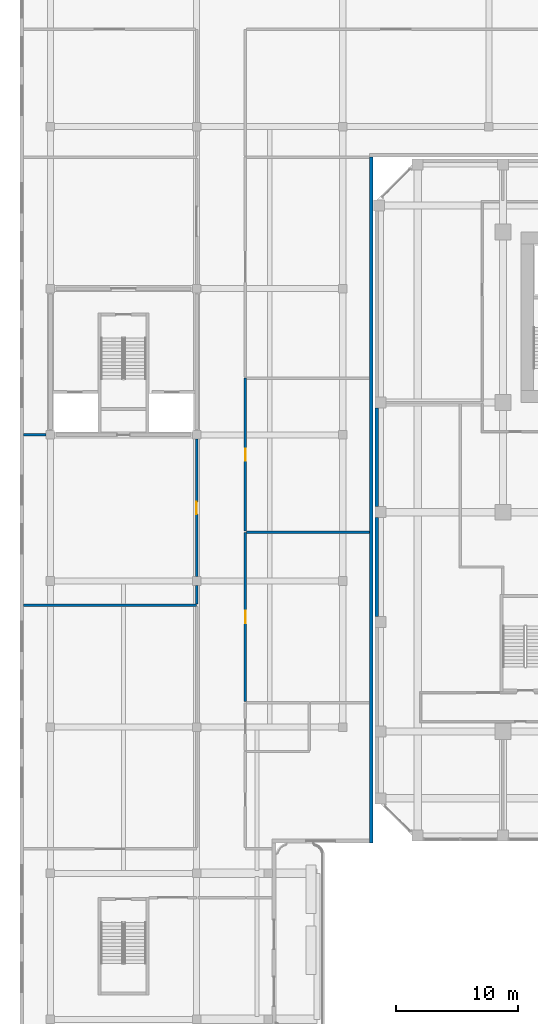
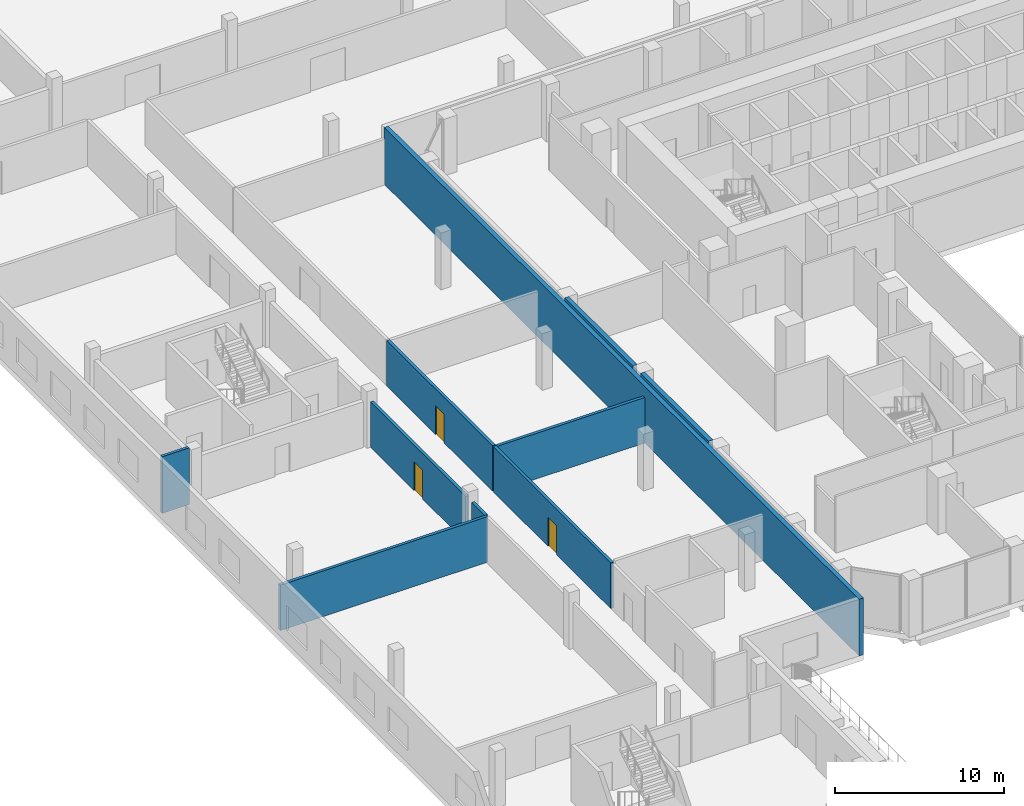
# One storey, part 15 of 36: 10 walls, 3 doors, 3 openings.
"""IFC4 building model written with IfcOpenShell, lengths in metres."""

from ifc_helpers import new_model, si_unit, direction, frame, frame_2d, origin, place, context, subcontext, project, spatial, rectangle, extrude, source, transform, mapped, material, layer, layer_set, type_object, element, fill, save


model = new_model("IFC4")

# Units and contexts
model_context = context("Model", 3, precision=1e-05, world=origin(), true_north=direction((0.0, 1.0)))
body_context = subcontext(model_context, "Body", "Model", "MODEL_VIEW")
ifc_project = project(units=[si_unit("LENGTHUNIT", "METRE"), si_unit("AREAUNIT", "SQUARE_METRE"), si_unit("VOLUMEUNIT", "CUBIC_METRE"), si_unit("PLANEANGLEUNIT", "RADIAN"), si_unit("MASSUNIT", "GRAM", prefix="KILO")], contexts=[model_context])

# Site, building, storey
site_placement = place(None, origin())
site = spatial("IfcSite", under=ifc_project, at=site_placement, CompositionType="ELEMENT")
building_placement = place(site_placement, origin())
building = spatial("IfcBuilding", under=site, at=building_placement, Name="Kilnfold Tower and Market Hall", CompositionType="ELEMENT")
storey_placement = place(building_placement, frame((0.0, 0.0, 18.0)))
storey = spatial("IfcBuildingStorey", under=building, at=storey_placement, Name="L03", CompositionType="ELEMENT", Elevation=18.0)

# Walls
ifc_material_1 = material(Name="Precast concrete C50/60", Category="concrete")
ifc_layer_1 = layer(ifc_material_1, 0.300048828125)
ifc_layer_set_1 = layer_set([ifc_layer_1], Name="Precast concrete C50/60")
wall_type_1 = type_object("IfcWallType", Name="PRECAST WALL 300", PredefinedType="SOLIDWALL", material=ifc_layer_set_1)
shared_shape_1 = source(origin(), body_context, "Body", "SweptSolid", [
    extrude(rectangle(XDim=8.10009765625, YDim=0.300048828125, at=frame_2d((4.050048828125, 0.0))), origin(), (0.0, 0.0, 1.0), 4.10009765625),
])
for number, where, z_axis, x_axis, name in (
    (1, (-27.85009765625, 7.550048828125, 0.0), (0.0, 0.0, 1.0), (0.0, -1.0, 0.0), "Party wall L03 W"),
    (2, (-27.85009765625, -1.449951171875, 0.0), (0.0, 0.0, 1.0), (0.0, -1.0, 0.0), "Party wall L03 W"),
):
    element("IfcWall", number, at=place(storey_placement, frame(where, z_axis=z_axis, x_axis=x_axis)), inside=storey, type_object=wall_type_1, Name=name, PredefinedType="SOLIDWALL", context=body_context, shape_type="MappedRepresentation", body=[
        mapped(shared_shape_1, transform((0.0, 0.0, 0.0))),
    ])
ifc_material_2 = material(Name="Concrete blockwork", Category="masonry")
ifc_layer_2 = layer(ifc_material_2, 0.300048828125)
ifc_layer_set_2 = layer_set([ifc_layer_2], Name="Concrete blockwork")
wall_type_2 = type_object("IfcWallType", Name="HALL EXTERNAL WALL 300 EI 120", PredefinedType="SOLIDWALL", material=ifc_layer_set_2)
shared_shape_2 = source(origin(), body_context, "Body", "SweptSolid", [
    extrude(rectangle(XDim=56.2998046875, YDim=0.300048828125, at=frame_2d((28.14990234375, 0.0))), origin(), (0.0, 0.0, 1.0), 4.10009765625),
])
wall_1_placement = place(storey_placement, frame((-28.300048828125, 28.14990234375, 0.0), z_axis=(0.0, 0.0, 1.0), x_axis=(0.0, -1.0, 0.0)))
element("IfcWall", 3, at=wall_1_placement, inside=storey, type_object=wall_type_2, Name="Joint wall MEW-L03.7", PredefinedType="SOLIDWALL", context=body_context, shape_type="MappedRepresentation", body=[
    mapped(shared_shape_2, transform((0.0, 0.0, 0.0))),
])
ifc_material_3 = material(Name="Concrete blockwork", Category="masonry")
ifc_layer_3 = layer(ifc_material_3, 0.199951171875)
ifc_layer_set_3 = layer_set([ifc_layer_3], Name="Concrete blockwork")
wall_type_3 = type_object("IfcWallType", Name="HALL PARTITION 200 EI 60", PredefinedType="PARTITIONING", material=ifc_layer_set_3)
shared_shape_3 = source(origin(), body_context, "Body", "SweptSolid", [
    extrude(rectangle(XDim=14.2001953125, YDim=0.199951171875, at=frame_2d((7.10009765625, 0.0))), origin(), (0.0, 0.0, 1.0), 3.300048828125),
])
wall_2_placement = place(storey_placement, frame((-56.85009765625, -8.64990234375, 0.0), z_axis=(0.0, 0.0, 1.0), x_axis=(1.0, 0.0, 0.0)))
element("IfcWall", 4, at=wall_2_placement, inside=storey, type_object=wall_type_3, Name="Partition W-MH-L03.2", PredefinedType="PARTITIONING", context=body_context, shape_type="MappedRepresentation", body=[
    mapped(shared_shape_3, transform((0.0, 0.0, 0.0))),
])

# Wall, opening, door
shared_shape_4 = source(origin(), body_context, "Body", "SweptSolid", [
    extrude(rectangle(XDim=13.900146484375, YDim=0.199951171875, at=frame_2d((6.9501953125, 0.0))), origin(), (0.0, 0.0, 1.0), 3.300048828125),
])
wall_3_placement = place(storey_placement, frame((-38.64990234375, -2.64990234375, 0.0), z_axis=(0.0, 0.0, 1.0), x_axis=(0.0, -1.0, 0.0)))
wall_3 = element("IfcWall", 5, at=wall_3_placement, inside=storey, type_object=wall_type_3, Name="Partition W-MH-L03.22", PredefinedType="PARTITIONING", context=body_context, shape_type="MappedRepresentation", body=[
    mapped(shared_shape_4, transform((0.0, 0.0, 0.0))),
])
opening_1_placement = place(wall_3_placement, frame((6.449951171875, 0.0, 0.0)))
opening_1 = element("IfcOpeningElement", 6, at=opening_1_placement, cuts=wall_3, Name="Opening MD5-60", PredefinedType="OPENING", context=body_context, shape_type="SweptSolid", body=[
    extrude(rectangle(XDim=1.0, YDim=2.10009765625, at=frame_2d((0.5, 1.050048828125))), frame((0.0, 0.10986328125, 0.0), z_axis=(0.0, -1.0, 0.0), x_axis=(1.0, 0.0, 0.0)), (0.0, 0.0, 1.0), 0.219970703125),
])
ifc_material_4 = material(Name="Timber", Category="wood")
door_type = type_object("IfcDoorType", Name="HALL DOOR OFFICE 1000X2100 FD60", OperationType="NOTDEFINED", PredefinedType="DOOR", material=ifc_material_4)
door_1_placement = place(opening_1_placement, origin())
door_1 = element("IfcDoor", 7, at=door_1_placement, inside=storey, type_object=door_type, Name="Door MD5-60", OperationType="SINGLE_SWING_RIGHT", OverallHeight=2.10009765625, OverallWidth=1.0, PredefinedType="DOOR", context=body_context, shape_type="SweptSolid", body=[
    extrude(rectangle(XDim=1.0, YDim=2.10009765625, at=frame_2d((0.5, 1.050048828125))), frame((0.0, 0.02490234375, 0.0), z_axis=(0.0, -1.0, 0.0), x_axis=(1.0, 0.0, 0.0)), (0.0, 0.0, 1.0), 0.050048828125),
])
fill(opening_1, door_1)

# Wall
shared_shape_5 = source(origin(), body_context, "Body", "SweptSolid", [
    extrude(rectangle(XDim=10.10009765625, YDim=0.199951171875, at=frame_2d((5.050048828125, 0.0))), origin(), (0.0, 0.0, 1.0), 3.300048828125),
])
wall_4_placement = place(storey_placement, frame((-38.550048828125, -2.64990234375, 0.0), z_axis=(0.0, 0.0, 1.0), x_axis=(1.0, 0.0, 0.0)))
element("IfcWall", 8, at=wall_4_placement, inside=storey, type_object=wall_type_3, Name="Partition W-MH-L03.23", PredefinedType="PARTITIONING", context=body_context, shape_type="MappedRepresentation", body=[
    mapped(shared_shape_5, transform((0.0, 0.0, 0.0))),
])

# Wall, opening, door
shared_shape_6 = source(origin(), body_context, "Body", "SweptSolid", [
    extrude(rectangle(XDim=12.550048828125, YDim=0.199951171875, at=frame_2d((6.27490234375, 0.0))), origin(), (0.0, 0.0, 1.0), 3.300048828125),
])
wall_5_placement = place(storey_placement, frame((-38.64990234375, 10.0, 0.0), z_axis=(0.0, 0.0, 1.0), x_axis=(0.0, -1.0, 0.0)))
wall_5 = element("IfcWall", 9, at=wall_5_placement, inside=storey, type_object=wall_type_3, Name="Partition W-MH-L03.24", PredefinedType="PARTITIONING", context=body_context, shape_type="MappedRepresentation", body=[
    mapped(shared_shape_6, transform((0.0, 0.0, 0.0))),
])
opening_2_placement = place(wall_5_placement, frame((5.77490234375, 0.0, 0.0)))
opening_2 = element("IfcOpeningElement", 10, at=opening_2_placement, cuts=wall_5, Name="Opening MD5-60", PredefinedType="OPENING", context=body_context, shape_type="SweptSolid", body=[
    extrude(rectangle(XDim=1.0, YDim=2.10009765625, at=frame_2d((0.5, 1.050048828125))), frame((0.0, 0.10986328125, 0.0), z_axis=(0.0, -1.0, 0.0), x_axis=(1.0, 0.0, 0.0)), (0.0, 0.0, 1.0), 0.219970703125),
])
door_2_placement = place(opening_2_placement, origin())
door_2 = element("IfcDoor", 11, at=door_2_placement, inside=storey, type_object=door_type, Name="Door MD5-60", OperationType="SINGLE_SWING_LEFT", OverallHeight=2.10009765625, OverallWidth=1.0, PredefinedType="DOOR", context=body_context, shape_type="SweptSolid", body=[
    extrude(rectangle(XDim=1.0, YDim=2.10009765625, at=frame_2d((0.5, 1.050048828125))), frame((0.0, 0.02490234375, 0.0), z_axis=(0.0, -1.0, 0.0), x_axis=(1.0, 0.0, 0.0)), (0.0, 0.0, 1.0), 0.050048828125),
])
fill(opening_2, door_2)

# Walls
shared_shape_7 = source(origin(), body_context, "Body", "SweptSolid", [
    extrude(rectangle(XDim=1.85009765625, YDim=0.199951171875, at=frame_2d((0.925048828125, 0.0))), origin(), (0.0, 0.0, 1.0), 4.10009765625),
])
wall_6_placement = place(storey_placement, frame((-56.85009765625, 5.35009765625, 0.0), z_axis=(0.0, 0.0, 1.0), x_axis=(1.0, 0.0, 0.0)))
element("IfcWall", 12, at=wall_6_placement, inside=storey, type_object=wall_type_3, Name="Partition W-MH-L03.3", PredefinedType="PARTITIONING", context=body_context, shape_type="MappedRepresentation", body=[
    mapped(shared_shape_7, transform((0.0, 0.0, 0.0))),
])
shared_shape_8 = source(origin(), body_context, "Body", "SweptSolid", [
    extrude(rectangle(XDim=1.550048828125, YDim=0.199951171875, at=frame_2d((0.77490234375, 0.0))), origin(), (0.0, 0.0, 1.0), 3.300048828125),
])
wall_7_placement = place(storey_placement, frame((-42.64990234375, -8.550048828125, 0.0), z_axis=(0.0, 0.0, 1.0), x_axis=(0.0, 1.0, 0.0)))
element("IfcWall", 13, at=wall_7_placement, inside=storey, type_object=wall_type_3, Name="Partition W-MH-L03.9", PredefinedType="PARTITIONING", context=body_context, shape_type="MappedRepresentation", body=[
    mapped(shared_shape_8, transform((0.0, 0.0, 0.0))),
])

# Wall, opening, door
shared_shape_9 = source(origin(), body_context, "Body", "SweptSolid", [
    extrude(rectangle(XDim=11.300048828125, YDim=0.199951171875, at=frame_2d((5.64990234375, 0.0))), origin(), (0.0, 0.0, 1.0), 3.300048828125),
])
wall_8_placement = place(storey_placement, frame((-42.64990234375, -6.300048828125, 0.0), z_axis=(0.0, 0.0, 1.0), x_axis=(0.0, 1.0, 0.0)))
wall_8 = element("IfcWall", 14, at=wall_8_placement, inside=storey, type_object=wall_type_3, Name="Partition W-MH-L03.10", PredefinedType="PARTITIONING", context=body_context, shape_type="MappedRepresentation", body=[
    mapped(shared_shape_9, transform((0.0, 0.0, 0.0))),
])
opening_3_placement = place(wall_8_placement, frame((5.14990234375, 0.0, 0.0)))
opening_3 = element("IfcOpeningElement", 15, at=opening_3_placement, cuts=wall_8, Name="Opening MD5-60", PredefinedType="OPENING", context=body_context, shape_type="SweptSolid", body=[
    extrude(rectangle(XDim=1.0, YDim=2.10009765625, at=frame_2d((0.5, 1.050048828125))), frame((0.0, 0.10986328125, 0.0), z_axis=(0.0, -1.0, 0.0), x_axis=(1.0, 0.0, 0.0)), (0.0, 0.0, 1.0), 0.219970703125),
])
door_3_placement = place(opening_3_placement, origin())
door_3 = element("IfcDoor", 16, at=door_3_placement, inside=storey, type_object=door_type, Name="Door MD5-60", OperationType="SINGLE_SWING_LEFT", OverallHeight=2.10009765625, OverallWidth=1.0, PredefinedType="DOOR", context=body_context, shape_type="SweptSolid", body=[
    extrude(rectangle(XDim=1.0, YDim=2.10009765625, at=frame_2d((0.5, 1.050048828125))), frame((0.0, 0.02490234375, 0.0), z_axis=(0.0, -1.0, 0.0), x_axis=(1.0, 0.0, 0.0)), (0.0, 0.0, 1.0), 0.050048828125),
])
fill(opening_3, door_3)

save(model, "model.ifc")
